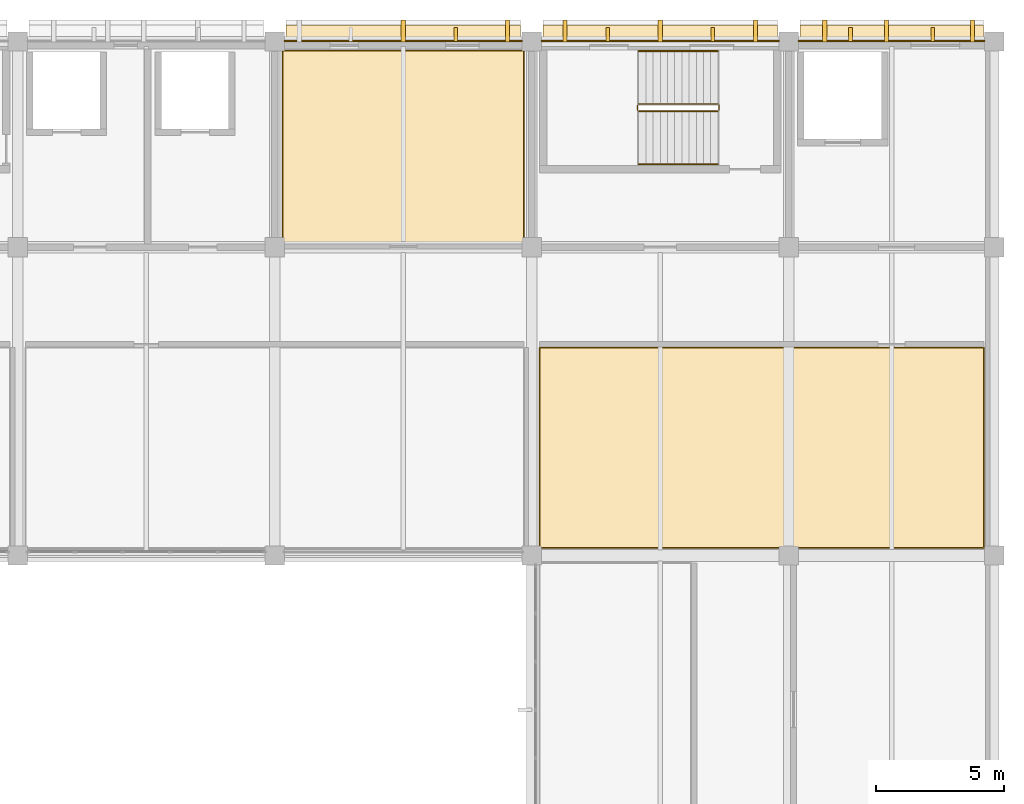
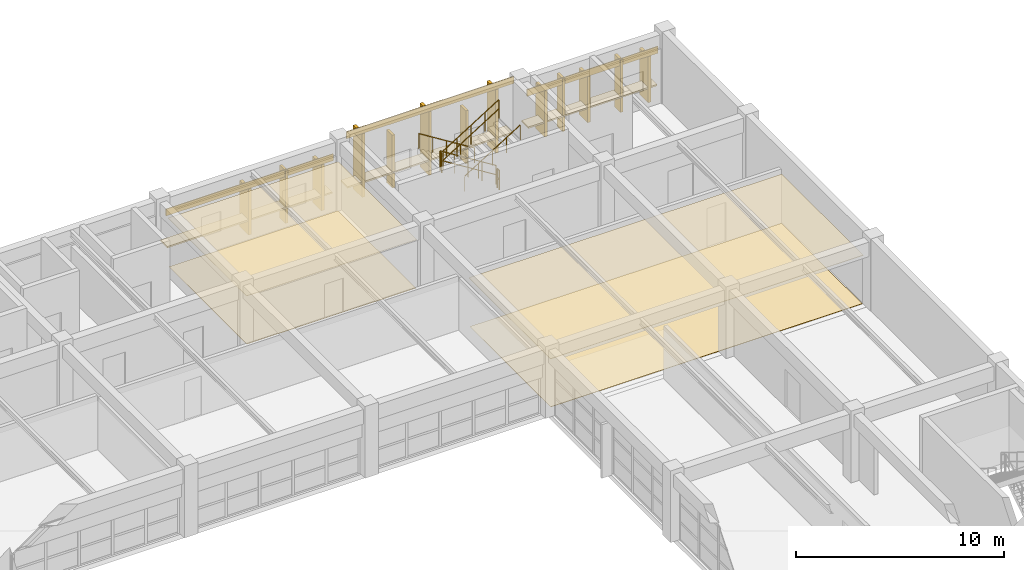
# One storey, part 83 of 83: 18 coverings, 6 railings, 5 shading devices.
"""IFC4 building model written with IfcOpenShell, lengths in metres."""

from ifc_helpers import new_model, si_unit, direction, frame, frame_2d, origin, origin_2d, place, context, subcontext, project, spatial, polyline, rectangle, circle, outline, extrude, material, layer, layer_set, type_object, element, save


model = new_model("IFC4")

# Units and contexts
model_context = context("Model", 3, precision=1e-05, world=origin(), true_north=direction((0.0, 1.0)))
body_context = subcontext(model_context, "Body", "Model", "MODEL_VIEW")
ifc_project = project(units=[si_unit("LENGTHUNIT", "METRE"), si_unit("AREAUNIT", "SQUARE_METRE"), si_unit("VOLUMEUNIT", "CUBIC_METRE"), si_unit("PLANEANGLEUNIT", "RADIAN"), si_unit("MASSUNIT", "GRAM", prefix="KILO")], contexts=[model_context])

# Site, building, storey
site_placement = place(None, origin())
site = spatial("IfcSite", under=ifc_project, at=site_placement, CompositionType="ELEMENT")
building_placement = place(site_placement, origin())
building = spatial("IfcBuilding", under=site, at=building_placement, Name="Kivolera Central Railway Station", CompositionType="ELEMENT")
storey_placement = place(building_placement, frame((0.0, 0.0, 14.39990234375)))
storey = spatial("IfcBuildingStorey", under=building, at=storey_placement, Name="L03", CompositionType="ELEMENT", Elevation=14.39990234375)

# Shading devices
ifc_material_1 = material(Name="Precast concrete C40/50", Category="concrete")
shading_device_type = type_object("IfcShadingDeviceType", Name="BS-FIN-UPP", PredefinedType="USERDEFINED", material=ifc_material_1)
for number, where, z_axis, x_axis, name in (
    (1, (175.037109375, 134.26708984375, 0.0), (0.0, 0.0, 1.0), (1.0, 0.0, 0.0), "L03 North Brise-Soleil Fin 6.2"),
    (2, (180.962890625, 134.26708984375, 0.0), (0.0, 0.0, 1.0), (1.0, 0.0, 0.0), "L03 North Brise-Soleil Fin 7.1"),
    (3, (185.037109375, 134.26708984375, 0.0), (0.0, 0.0, 1.0), (1.0, 0.0, 0.0), "L03 North Brise-Soleil Fin 7.2"),
    (4, (190.403076171875, 134.26708984375, 0.0), (0.0, 0.0, 1.0), (1.0, 0.0, 0.0), "L03 North Brise-Soleil Fin 8.1"),
    (5, (193.596923828125, 134.26708984375, 0.0), (0.0, 0.0, 1.0), (1.0, 0.0, 0.0), "L03 North Brise-Soleil Fin 8.2"),
):
    element("IfcShadingDevice", number, at=place(storey_placement, frame(where, z_axis=z_axis, x_axis=x_axis)), inside=storey, type_object=shading_device_type, Name=name, ObjectType="FIN", PredefinedType="USERDEFINED", context=body_context, shape_type="SweptSolid", body=[
        extrude(rectangle(XDim=0.139892578125, YDim=0.550048828125, at=origin_2d()), origin(), (0.0, 0.0, 1.0), 3.10009765625),
    ])

# Coverings
ifc_material_2 = material(Name="Mineral fibre acoustic tile")
ifc_layer_1 = layer(ifc_material_2, 0.02001953125, Name="Mineral fibre acoustic tile")
ifc_layer_set_1 = layer_set([ifc_layer_1], Name="Mineral fibre acoustic tile")
covering_type_1 = type_object("IfcCoveringType", Name="COV-CEIL-20", PredefinedType="CEILING", material=ifc_layer_set_1)
covering_1_placement = place(storey_placement, frame((0.0, 0.0, 2.85009765625)))
element("IfcCovering", 6, at=covering_1_placement, inside=storey, type_object=covering_type_1, Name="L03 Railway Directorate Boardroom Office Acoustic Ceiling", PredefinedType="CEILING", context=body_context, shape_type="SweptSolid", body=[
    extrude(outline(polyline([(168.280029296875, 126.1298828125), (177.719970703125, 126.1298828125), (177.719970703125, 133.669921875), (168.280029296875, 133.669921875), (168.280029296875, 126.1298828125)])), origin(), (0.0, 0.0, 1.0), 0.02001953125),
])
ifc_material_3 = material(Name="Hardwood mvule timber", Category="wood")
ifc_layer_2 = layer(ifc_material_3, 0.02490234375, Name="Hardwood mvule timber")
ifc_layer_set_2 = layer_set([ifc_layer_2], Name="Hardwood mvule timber")
covering_type_2 = type_object("IfcCoveringType", Name="COV-CEIL-25", PredefinedType="CEILING", material=ifc_layer_set_2)
covering_2_placement = place(storey_placement, frame((0.0, 0.0, 2.85009765625)))
element("IfcCovering", 7, at=covering_2_placement, inside=storey, type_object=covering_type_2, Name="L03 Finance and Procurement Office Acoustic Ceiling", PredefinedType="CEILING", context=body_context, shape_type="SweptSolid", body=[
    extrude(outline(polyline([(178.280029296875, 114.280029296875), (195.6201171875, 114.280029296875), (195.6201171875, 122.1201171875), (178.280029296875, 122.1201171875), (178.280029296875, 114.280029296875)])), origin(), (0.0, 0.0, 1.0), 0.02490234375),
])
ifc_layer_3 = layer(ifc_material_1, 0.090087890625, Name="Precast concrete C40/50")
ifc_layer_set_3 = layer_set([ifc_layer_3], Name="Precast concrete C40/50")
covering_type_3 = type_object("IfcCoveringType", Name="COV-CLAUSTRA-90", PredefinedType="CLADDING", material=ifc_layer_set_3)
for number, where, z_axis, x_axis, name in (
    (8, (173.0, 134.31298828125, 0.85498046875), (0.0, 0.0, 1.0), (1.0, 0.0, 0.0), "L03 North Precast Egg-Crate Sill Shelf 6"),
    (9, (183.0, 134.31298828125, 0.85498046875), (0.0, 0.0, 1.0), (1.0, 0.0, 0.0), "L03 North Precast Egg-Crate Sill Shelf 7"),
):
    element("IfcCovering", number, at=place(storey_placement, frame(where, z_axis=z_axis, x_axis=x_axis)), inside=storey, type_object=covering_type_3, Name=name, PredefinedType="CLADDING", context=body_context, shape_type="SweptSolid", body=[
        extrude(rectangle(XDim=9.139892578125, YDim=0.64990234375, at=origin_2d()), origin(), (0.0, 0.0, 1.0), 0.090087890625),
    ])
covering_3_placement = place(storey_placement, frame((192.0, 134.31298828125, 0.85498046875), z_axis=(0.0, 0.0, 1.0), x_axis=(1.0, 0.0, 0.0)))
element("IfcCovering", 10, at=covering_3_placement, inside=storey, type_object=covering_type_3, Name="L03 North Precast Egg-Crate Sill Shelf 8", PredefinedType="CLADDING", context=body_context, shape_type="SweptSolid", body=[
    extrude(rectangle(XDim=7.139892578125, YDim=0.64990234375, at=origin_2d()), origin(), (0.0, 0.0, 1.0), 0.090087890625),
])
ifc_material_4 = material(Name="Swahili coral limestone", Category="masonry")
ifc_layer_4 = layer(ifc_material_4, 0.159912109375, Name="Swahili coral limestone")
ifc_layer_set_4 = layer_set([ifc_layer_4], Name="Swahili coral limestone")
covering_type_4 = type_object("IfcCoveringType", Name="COV-EGGFIN-160", PredefinedType="CLADDING", material=ifc_layer_set_4)
for number, where, z_axis, x_axis, name in (
    (11, (173.0, 134.4130859375, 0.0400390625), (0.0, 0.0, 1.0), (1.0, 0.0, 0.0), "L03 North Afro-Modernist Coral-Stone Sun-Fin 6.2"),
    (12, (177.050048828125, 134.4130859375, 0.0400390625), (0.0, 0.0, 1.0), (1.0, 0.0, 0.0), "L03 North Afro-Modernist Coral-Stone Sun-Fin 6.3"),
):
    element("IfcCovering", number, at=place(storey_placement, frame(where, z_axis=z_axis, x_axis=x_axis)), inside=storey, type_object=covering_type_4, Name=name, PredefinedType="CLADDING", context=body_context, shape_type="SweptSolid", body=[
        extrude(rectangle(XDim=0.159912109375, YDim=0.85009765625, at=origin_2d()), origin(), (0.0, 0.0, 1.0), 2.697998046875),
    ])
for number, where, z_axis, x_axis, name in (
    (13, (179.300048828125, 134.4130859375, 0.0400390625), (0.0, 0.0, 1.0), (1.0, 0.0, 0.0), "L03 North Afro-Modernist Coral-Stone Sun-Fin 7.1"),
    (14, (183.0, 134.4130859375, 0.0400390625), (0.0, 0.0, 1.0), (1.0, 0.0, 0.0), "L03 North Afro-Modernist Coral-Stone Sun-Fin 7.2"),
    (15, (186.699951171875, 134.4130859375, 0.0400390625), (0.0, 0.0, 1.0), (1.0, 0.0, 0.0), "L03 North Afro-Modernist Coral-Stone Sun-Fin 7.3"),
):
    element("IfcCovering", number, at=place(storey_placement, frame(where, z_axis=z_axis, x_axis=x_axis)), inside=storey, type_object=covering_type_4, Name=name, PredefinedType="CLADDING", context=body_context, shape_type="SweptSolid", body=[
        extrude(rectangle(XDim=0.159912109375, YDim=0.85009765625, at=origin_2d()), origin(), (0.0, 0.0, 1.0), 3.719970703125),
    ])
for number, where, z_axis, x_axis, name in (
    (16, (189.39990234375, 134.4130859375, 0.0400390625), (0.0, 0.0, 1.0), (1.0, 0.0, 0.0), "L03 North Afro-Modernist Coral-Stone Sun-Fin 8.1"),
    (17, (191.800048828125, 134.4130859375, 0.0400390625), (0.0, 0.0, 1.0), (1.0, 0.0, 0.0), "L03 North Afro-Modernist Coral-Stone Sun-Fin 8.2"),
    (18, (195.14990234375, 134.4130859375, 0.0400390625), (0.0, 0.0, 1.0), (1.0, 0.0, 0.0), "L03 North Afro-Modernist Coral-Stone Sun-Fin 8.3"),
):
    element("IfcCovering", number, at=place(storey_placement, frame(where, z_axis=z_axis, x_axis=x_axis)), inside=storey, type_object=covering_type_4, Name=name, PredefinedType="CLADDING", context=body_context, shape_type="SweptSolid", body=[
        extrude(rectangle(XDim=0.159912109375, YDim=0.85009765625, at=origin_2d()), origin(), (0.0, 0.0, 1.0), 2.697998046875),
    ])
ifc_material_5 = material(Name="Terracotta clay tile", Category="masonry")
ifc_layer_5 = layer(ifc_material_5, 0.02197265625, Name="Terracotta clay tile")
ifc_layer_set_5 = layer_set([ifc_layer_5], Name="Terracotta clay tile")
covering_type_5 = type_object("IfcCoveringType", Name="COV-FLR-22", PredefinedType="FLOORING", material=ifc_layer_set_5)
covering_4_placement = place(storey_placement, origin())
element("IfcCovering", 19, at=covering_4_placement, inside=storey, type_object=covering_type_5, Name="L03 Railway Directorate Boardroom Office Floor Finish", PredefinedType="FLOORING", context=body_context, shape_type="SweptSolid", body=[
    extrude(outline(polyline([(168.320068359375, 126.169921875), (177.679931640625, 126.169921875), (177.679931640625, 133.6298828125), (168.320068359375, 133.6298828125), (168.320068359375, 126.169921875)])), origin(), (0.0, 0.0, 1.0), 0.022216796875),
])
covering_5_placement = place(storey_placement, origin())
element("IfcCovering", 20, at=covering_5_placement, inside=storey, type_object=covering_type_5, Name="L03 Finance and Procurement Office Floor Finish", PredefinedType="FLOORING", context=body_context, shape_type="SweptSolid", body=[
    extrude(outline(polyline([(178.320068359375, 114.320068359375), (195.580078125, 114.320068359375), (195.580078125, 122.080078125), (178.320068359375, 122.080078125), (178.320068359375, 114.320068359375)])), origin(), (0.0, 0.0, 1.0), 0.022216796875),
])
ifc_layer_6 = layer(ifc_material_5, 0.044921875, Name="Terracotta clay tile")
ifc_layer_set_6 = layer_set([ifc_layer_6], Name="Terracotta clay tile")
covering_type_6 = type_object("IfcCoveringType", Name="COV-TERRACOTTA-45", PredefinedType="CLADDING", material=ifc_layer_set_6)
for number, where, z_axis, x_axis, name in (
    (21, (168.3701171875, 134.02001953125, 2.748046875), (0.0, 0.0, 1.0), (1.0, 0.0, 0.0), "L03 North Terracotta Spandrel 6"),
    (22, (178.3701171875, 134.02001953125, 3.77001953125), (0.0, 0.0, 1.0), (1.0, 0.0, 0.0), "L03 North Terracotta Spandrel 7"),
):
    element("IfcCovering", number, at=place(storey_placement, frame(where, z_axis=z_axis, x_axis=x_axis)), inside=storey, type_object=covering_type_6, Name=name, PredefinedType="CLADDING", context=body_context, shape_type="SweptSolid", body=[
        extrude(rectangle(XDim=9.259765625, YDim=0.044921875, at=frame_2d((4.6298828125, 0.0))), origin(), (0.0, 0.0, 1.0), 0.400146484375),
    ])
covering_6_placement = place(storey_placement, frame((188.3701171875, 134.02001953125, 2.748046875), z_axis=(0.0, 0.0, 1.0), x_axis=(1.0, 0.0, 0.0)))
element("IfcCovering", 23, at=covering_6_placement, inside=storey, type_object=covering_type_6, Name="L03 North Terracotta Spandrel 8", PredefinedType="CLADDING", context=body_context, shape_type="SweptSolid", body=[
    extrude(rectangle(XDim=7.259765625, YDim=0.044921875, at=frame_2d((3.6298828125, 0.0))), origin(), (0.0, 0.0, 1.0), 0.400146484375),
])

# Railings
ifc_material_6 = material(Name="Anodised aluminium", Category="aluminium")
ifc_layer_7 = layer(ifc_material_6, 0.048095703125, Name="Anodised aluminium")
ifc_layer_set_7 = layer_set([ifc_layer_7], Name="Anodised aluminium")
railing_type_1 = type_object("IfcRailingType", Name="RL-STAIR-GUARD", PredefinedType="GUARDRAIL", material=ifc_layer_set_7)
railing_1_placement = place(storey_placement, frame((185.239990234375, 131.570068359375, 0.175048828125)))
element("IfcRailing", 24, at=railing_1_placement, inside=storey, type_object=railing_type_1, Name="L03 ST3 stair guard 1", PredefinedType="GUARDRAIL", context=body_context, shape_type="SweptSolid", body=[
    extrude(circle(Radius=0.02392578125, at=origin_2d()), frame((0.0, 0.0, 1.10595703125), z_axis=(-0.847998304005, 0.0, 0.529998940003), x_axis=(0.0, -1.0, 0.0)), (0.0, 0.0, 1.0), 3.632080078125),
    extrude(circle(Radius=0.02392578125, at=origin_2d()), frame((0.0, 0.0, 0.56494140625), z_axis=(-0.847998304005, 0.0, 0.529998940003), x_axis=(0.0, -1.0, 0.0)), (0.0, 0.0, 1.0), 3.632080078125),
    extrude(circle(Radius=0.02099609375, at=origin_2d()), origin(), (0.0, 0.0, 1.0), 1.081787109375),
    extrude(circle(Radius=0.02099609375, at=origin_2d()), frame((-0.77001953125, 0.0, 0.481201171875)), (0.0, 0.0, 1.0), 1.081787109375),
    extrude(circle(Radius=0.02099609375, at=origin_2d()), frame((-1.5400390625, 0.0, 0.96240234375)), (0.0, 0.0, 1.0), 1.081787109375),
    extrude(circle(Radius=0.02099609375, at=origin_2d()), frame((-2.31005859375, 0.0, 1.44384765625)), (0.0, 0.0, 1.0), 1.081787109375),
    extrude(circle(Radius=0.02099609375, at=origin_2d()), frame((-3.080078125, 0.0, 1.925048828125)), (0.0, 0.0, 1.0), 1.081787109375),
])
railing_2_placement = place(storey_placement, frame((182.110107421875, 131.52001953125, 2.10009765625)))
element("IfcRailing", 25, at=railing_2_placement, inside=storey, type_object=railing_type_1, Name="L03 ST3 stair guard 2", PredefinedType="GUARDRAIL", context=body_context, shape_type="SweptSolid", body=[
    extrude(circle(Radius=0.02392578125, at=origin_2d()), frame((0.0, 0.0, 1.10595703125), z_axis=(0.0, -1.0, 0.0), x_axis=(1.0, 0.0, 0.0)), (0.0, 0.0, 1.0), 0.179931640625),
    extrude(circle(Radius=0.02392578125, at=origin_2d()), frame((0.0, 0.0, 0.56494140625), z_axis=(0.0, -1.0, 0.0), x_axis=(1.0, 0.0, 0.0)), (0.0, 0.0, 1.0), 0.179931640625),
    extrude(circle(Radius=0.02099609375, at=origin_2d()), origin(), (0.0, 0.0, 1.0), 1.081787109375),
    extrude(circle(Radius=0.02099609375, at=origin_2d()), frame((0.0, -0.179931640625, 0.0)), (0.0, 0.0, 1.0), 1.081787109375),
])
railing_3_placement = place(storey_placement, frame((182.159912109375, 131.2900390625, 2.275146484375)))
element("IfcRailing", 26, at=railing_3_placement, inside=storey, type_object=railing_type_1, Name="L03 ST3 stair guard 3", PredefinedType="GUARDRAIL", context=body_context, shape_type="SweptSolid", body=[
    extrude(circle(Radius=0.02392578125, at=origin_2d()), frame((0.0, 0.0, 1.10595703125), z_axis=(0.847998304005, 0.0, 0.529998940003), x_axis=(0.0, 1.0, 0.0)), (0.0, 0.0, 1.0), 3.632080078125),
    extrude(circle(Radius=0.02392578125, at=origin_2d()), frame((0.0, 0.0, 0.56494140625), z_axis=(0.847998304005, 0.0, 0.529998940003), x_axis=(0.0, 1.0, 0.0)), (0.0, 0.0, 1.0), 3.632080078125),
    extrude(circle(Radius=0.02099609375, at=origin_2d()), origin(), (0.0, 0.0, 1.0), 1.081787109375),
    extrude(circle(Radius=0.02099609375, at=origin_2d()), frame((0.77001953125, 0.0, 0.481201171875)), (0.0, 0.0, 1.0), 1.081787109375),
    extrude(circle(Radius=0.02099609375, at=origin_2d()), frame((1.5400390625, 0.0, 0.96240234375)), (0.0, 0.0, 1.0), 1.081787109375),
    extrude(circle(Radius=0.02099609375, at=origin_2d()), frame((2.31005859375, 0.0, 1.44384765625)), (0.0, 0.0, 1.0), 1.081787109375),
    extrude(circle(Radius=0.02099609375, at=origin_2d()), frame((3.080078125, 0.0, 1.925048828125)), (0.0, 0.0, 1.0), 1.081787109375),
])
railing_4_placement = place(storey_placement, frame((185.2900390625, 131.52001953125, 0.0)))
element("IfcRailing", 27, at=railing_4_placement, inside=storey, type_object=railing_type_1, Name="L03 ST3 stair guard 4", PredefinedType="GUARDRAIL", context=body_context, shape_type="SweptSolid", body=[
    extrude(circle(Radius=0.02392578125, at=origin_2d()), frame((0.0, 0.0, 1.10595703125), z_axis=(0.0, -1.0, 0.0), x_axis=(1.0, 0.0, 0.0)), (0.0, 0.0, 1.0), 0.179931640625),
    extrude(circle(Radius=0.02392578125, at=origin_2d()), frame((0.0, 0.0, 0.56494140625), z_axis=(0.0, -1.0, 0.0), x_axis=(1.0, 0.0, 0.0)), (0.0, 0.0, 1.0), 0.179931640625),
    extrude(circle(Radius=0.02099609375, at=origin_2d()), origin(), (0.0, 0.0, 1.0), 1.081787109375),
    extrude(circle(Radius=0.02099609375, at=origin_2d()), frame((0.0, -0.179931640625, 0.0)), (0.0, 0.0, 1.0), 1.081787109375),
])
ifc_layer_8 = layer(ifc_material_6, 0.048095703125, Name="Anodised aluminium")
ifc_layer_set_8 = layer_set([ifc_layer_8], Name="Anodised aluminium")
railing_type_2 = type_object("IfcRailingType", Name="RL-STAIR-HAND", PredefinedType="HANDRAIL", material=ifc_layer_set_8)
railing_5_placement = place(storey_placement, frame((185.239990234375, 133.6298828125, 0.175048828125)))
element("IfcRailing", 28, at=railing_5_placement, inside=storey, type_object=railing_type_2, Name="L03 ST3 stair handrail 1", PredefinedType="HANDRAIL", context=body_context, shape_type="SweptSolid", body=[
    extrude(circle(Radius=0.02392578125, at=origin_2d()), frame((0.0, 0.0, 0.8759765625), z_axis=(-0.847998304005, 0.0, 0.529998940003), x_axis=(0.0, -1.0, 0.0)), (0.0, 0.0, 1.0), 3.632080078125),
    extrude(circle(Radius=0.02099609375, at=origin_2d()), origin(), (0.0, 0.0, 1.0), 0.851806640625),
    extrude(circle(Radius=0.02099609375, at=origin_2d()), frame((-0.77001953125, 0.0, 0.481201171875)), (0.0, 0.0, 1.0), 0.851806640625),
    extrude(circle(Radius=0.02099609375, at=origin_2d()), frame((-1.5400390625, 0.0, 0.96240234375)), (0.0, 0.0, 1.0), 0.851806640625),
    extrude(circle(Radius=0.02099609375, at=origin_2d()), frame((-2.31005859375, 0.0, 1.44384765625)), (0.0, 0.0, 1.0), 0.851806640625),
    extrude(circle(Radius=0.02099609375, at=origin_2d()), frame((-3.080078125, 0.0, 1.925048828125)), (0.0, 0.0, 1.0), 0.851806640625),
])
railing_6_placement = place(storey_placement, frame((182.159912109375, 129.22998046875, 2.275146484375)))
element("IfcRailing", 29, at=railing_6_placement, inside=storey, type_object=railing_type_2, Name="L03 ST3 stair handrail 2", PredefinedType="HANDRAIL", context=body_context, shape_type="SweptSolid", body=[
    extrude(circle(Radius=0.02392578125, at=origin_2d()), frame((0.0, 0.0, 0.8759765625), z_axis=(0.847998304005, 0.0, 0.529998940003), x_axis=(0.0, 1.0, 0.0)), (0.0, 0.0, 1.0), 3.632080078125),
    extrude(circle(Radius=0.02099609375, at=origin_2d()), origin(), (0.0, 0.0, 1.0), 0.851806640625),
    extrude(circle(Radius=0.02099609375, at=origin_2d()), frame((0.77001953125, 0.0, 0.481201171875)), (0.0, 0.0, 1.0), 0.851806640625),
    extrude(circle(Radius=0.02099609375, at=origin_2d()), frame((1.5400390625, 0.0, 0.96240234375)), (0.0, 0.0, 1.0), 0.851806640625),
    extrude(circle(Radius=0.02099609375, at=origin_2d()), frame((2.31005859375, 0.0, 1.44384765625)), (0.0, 0.0, 1.0), 0.851806640625),
    extrude(circle(Radius=0.02099609375, at=origin_2d()), frame((3.080078125, 0.0, 1.925048828125)), (0.0, 0.0, 1.0), 0.851806640625),
])

save(model, "model.ifc")
